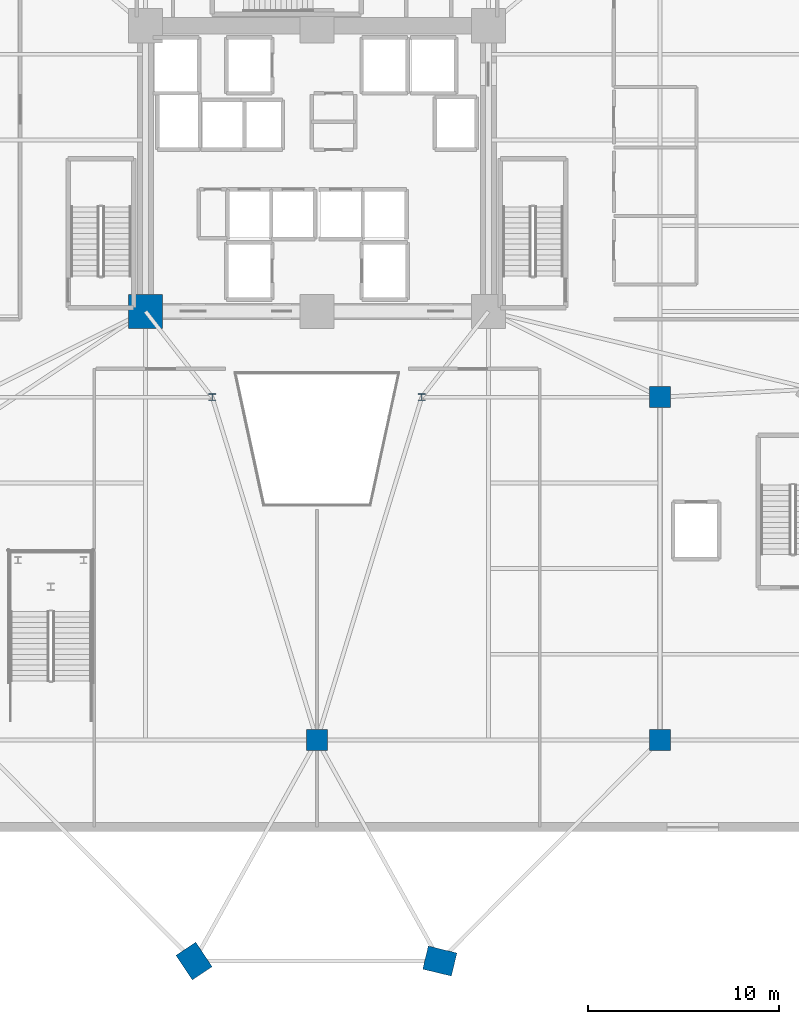
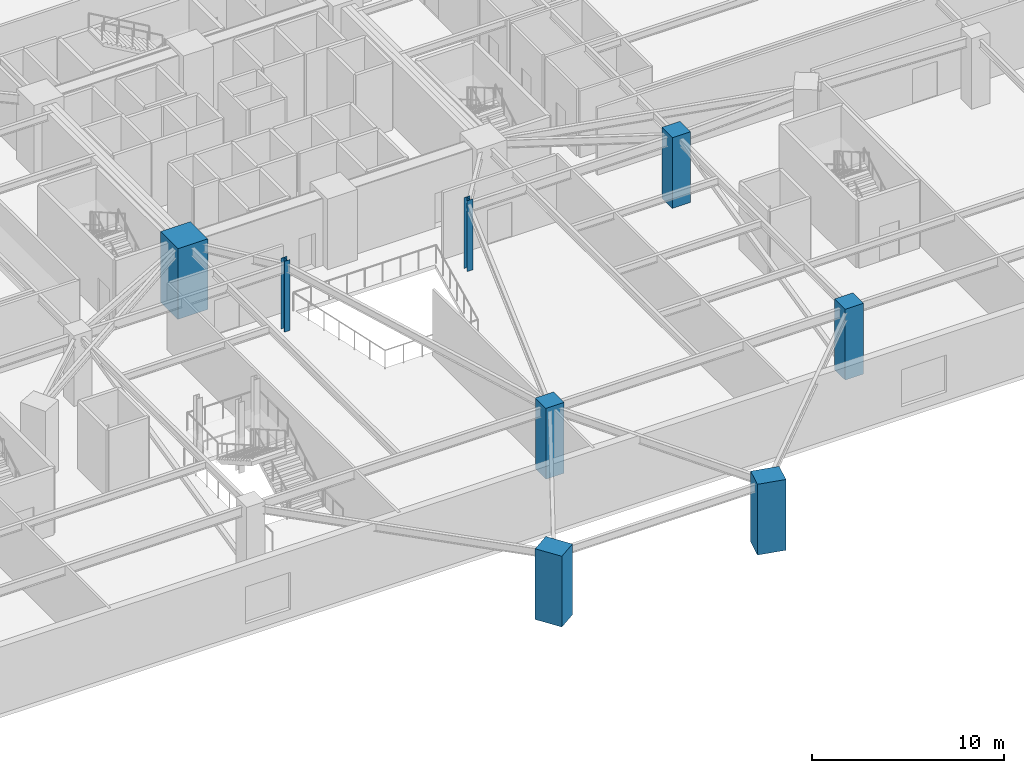
# One storey, part 2 of 16: 8 columns.
"""IFC4 building model written with IfcOpenShell, lengths in metres."""

import ifcopenshell
import ifcopenshell.guid

model = None  # the IFC model being written
_history = None  # IfcOwnerHistory: only IFC2X3 demands one
_inside = {}  # id of a spatial element -> (the spatial element, [elements in it])
_under = {}  # id of a project, library or spatial element -> (it, [spatial elements below it])
_declared = {}  # id of a project -> (the project, [libraries it declares])
_typed = {}  # id of a type object -> (the type object, [elements of that type])
_made_of = {}  # id of a material, layer set ... -> (it, [elements and type objects made of it])


def new_model(schema):
    """Start an empty IFC model of exactly this schema.

    Asked for "IFC4X3", IfcOpenShell would pick the latest addendum, in which some entities
    have other attributes; the version numbers below select the first issue.
    IFC2X3 requires an IfcOwnerHistory on every rooted entity: one is made here for all.
    """
    global model, _history
    if schema == "IFC4X3":
        model = ifcopenshell.file(schema_version=(4, 3, 0, 0))
    else:
        model = ifcopenshell.file(schema=schema)
    _inside.clear()
    _under.clear()
    _declared.clear()
    _typed.clear()
    _made_of.clear()
    _history = None
    if model.schema == "IFC2X3":
        org = make("IfcOrganization", Name="unknown")
        user = make(
            "IfcPersonAndOrganization",
            ThePerson=make("IfcPerson", FamilyName="unknown"),
            TheOrganization=org,
        )
        app = make(
            "IfcApplication",
            ApplicationDeveloper=org,
            Version="unknown",
            ApplicationFullName="unknown",
            ApplicationIdentifier="unknown",
        )
        _history = make(
            "IfcOwnerHistory",
            OwningUser=user,
            OwningApplication=app,
            ChangeAction="ADDED",
            CreationDate=0,
        )
    return model


def make(cls, **values):
    """One entity of the class cls with the attributes given. An attribute that is None is left unset."""
    return model.create_entity(
        cls, **{name: value for name, value in values.items() if value is not None}
    )


def rooted(cls, **values):
    """An entity with a GlobalId (a new one), such as an element, a storey or a relation."""
    return make(cls, GlobalId=ifcopenshell.guid.new(), OwnerHistory=_history, **values)


def si_unit(unit_type, name, prefix=None):
    """IfcSIUnit, for example si_unit("LENGTHUNIT", "METRE", prefix="MILLI")."""
    return make("IfcSIUnit", UnitType=unit_type, Prefix=prefix, Name=name)


def assignment(units):
    """IfcUnitAssignment: the units of a project."""
    return None if units is None else make("IfcUnitAssignment", Units=units)


def point(xyz):
    """IfcCartesianPoint."""
    return None if xyz is None else make("IfcCartesianPoint", Coordinates=xyz)


def direction(xyz):
    """IfcDirection."""
    return None if xyz is None else make("IfcDirection", DirectionRatios=xyz)


def frame(location, z_axis=None, x_axis=None):
    """IfcAxis2Placement3D, a coordinate frame: its origin and axes. An axis left out is left unset."""
    return make(
        "IfcAxis2Placement3D",
        Location=point(location),
        Axis=direction(z_axis),
        RefDirection=direction(x_axis),
    )


def frame_2d(location, x_axis=None):
    """IfcAxis2Placement2D, a coordinate frame in the plane: its origin and x axis."""
    return make(
        "IfcAxis2Placement2D", Location=point(location), RefDirection=direction(x_axis)
    )


def origin():
    """The frame at (0, 0, 0) with its axes left unset."""
    return frame((0.0, 0.0, 0.0))


def origin_2d():
    """The frame at (0, 0) in the plane with its x axis left unset."""
    return frame_2d((0.0, 0.0))


def place(relative_to, where):
    """IfcLocalPlacement: puts the frame where relative to a parent placement (None: the world)."""
    return make(
        "IfcLocalPlacement", PlacementRelTo=relative_to, RelativePlacement=where
    )


def context(
    kind, dimensions, precision=None, world=None, true_north=None, identifier=None
):
    """IfcGeometricRepresentationContext, for example the 3D "Model" context."""
    return make(
        "IfcGeometricRepresentationContext",
        ContextIdentifier=identifier,
        ContextType=kind,
        CoordinateSpaceDimension=dimensions,
        Precision=precision,
        WorldCoordinateSystem=world,
        TrueNorth=true_north,
    )


def subcontext(parent, identifier, kind, view, scale=None):
    """IfcGeometricRepresentationSubContext, for example "Body" below "Model"."""
    return make(
        "IfcGeometricRepresentationSubContext",
        ContextIdentifier=identifier,
        ContextType=kind,
        ParentContext=parent,
        TargetScale=scale,
        TargetView=view,
    )


def project(units=None, contexts=None):
    """IfcProject with its units and contexts."""
    return rooted(
        "IfcProject",
        Name="project",
        RepresentationContexts=contexts,
        UnitsInContext=assignment(units),
    )


def spatial(cls, under=None, at=None, **own):
    """A site, building, storey or space (cls), placed at a placement, below another one or the project."""
    s = rooted(cls, ObjectPlacement=at, **own)
    if under is not None:
        _under.setdefault(under.id(), (under, []))[1].append(s)
    return s


def profile(cls, at=None, kind="AREA", **sizes):
    """A parametric profile (cls). Its sizes go by their IFC names, for example OverallWidth=200.0."""
    return make(cls, ProfileType=kind, Position=at, **sizes)


def rectangle(**sizes):
    """IfcRectangleProfileDef."""
    return profile("IfcRectangleProfileDef", **sizes)


def i_section(**sizes):
    """IfcIShapeProfileDef."""
    return profile("IfcIShapeProfileDef", **sizes)


def extrude(swept, where, along, depth):
    """IfcExtrudedAreaSolid: the profile swept, set in the frame where, extruded along a direction by depth."""
    return make(
        "IfcExtrudedAreaSolid",
        SweptArea=swept,
        Position=where,
        ExtrudedDirection=direction(along),
        Depth=depth,
    )


def shape(context_of_items, identifier, shape_type, items):
    """IfcShapeRepresentation: the items that make up one representation, for example the "Body"."""
    return make(
        "IfcShapeRepresentation",
        ContextOfItems=context_of_items,
        RepresentationIdentifier=identifier,
        RepresentationType=shape_type,
        Items=items,
    )


def source(mapping_origin, context_of_items, identifier, shape_type, items):
    """IfcRepresentationMap: a shape defined once, which mapped items show again and again."""
    return make(
        "IfcRepresentationMap",
        MappingOrigin=mapping_origin,
        MappedRepresentation=shape(context_of_items, identifier, shape_type, items),
    )


def transform(
    local_origin,
    x_axis=None,
    y_axis=None,
    z_axis=None,
    scale=None,
    scale2=None,
    scale3=None,
    uniform=True,
):
    """IfcCartesianTransformationOperator3D, or its non-uniform kind. x_axis, y_axis, z_axis: its Axis1, 2, 3."""
    if uniform:
        return make(
            "IfcCartesianTransformationOperator3D",
            Axis1=direction(x_axis),
            Axis2=direction(y_axis),
            LocalOrigin=point(local_origin),
            Scale=scale,
            Axis3=direction(z_axis),
        )
    return make(
        "IfcCartesianTransformationOperator3DnonUniform",
        Axis1=direction(x_axis),
        Axis2=direction(y_axis),
        LocalOrigin=point(local_origin),
        Scale=scale,
        Axis3=direction(z_axis),
        Scale2=scale2,
        Scale3=scale3,
    )


def mapped(mapping_source, mapping_target):
    """IfcMappedItem: shows the shape of a source again, moved by a transform."""
    return make(
        "IfcMappedItem", MappingSource=mapping_source, MappingTarget=mapping_target
    )


def material(Name=None, Category=None):
    """IfcMaterial."""
    return make("IfcMaterial", Name=Name, Category=Category)


def material_profile(
    of_material, cross_section, Name=None, Category=None, Priority=None
):
    """IfcMaterialProfile: a cross section and its material."""
    return make(
        "IfcMaterialProfile",
        Name=Name,
        Material=of_material,
        Profile=cross_section,
        Priority=Priority,
        Category=Category,
    )


def profile_set(profiles, Name=None, composite=None):
    """IfcMaterialProfileSet."""
    return make(
        "IfcMaterialProfileSet",
        Name=Name,
        MaterialProfiles=profiles,
        CompositeProfile=composite,
    )


def made_of(thing, what):
    """Note that an element or type object is made of a material, layer set ...; save() writes the relation."""
    if what is not None:
        _made_of.setdefault(what.id(), (what, []))[1].append(thing)
    return thing


def type_object(cls, material=None, **own):
    """A type object (cls), such as IfcWallType, which elements share."""
    return made_of(rooted(cls, **own), material)


def element(
    cls,
    number,
    at=None,
    inside=None,
    cuts=None,
    type_object=None,
    material=None,
    context=None,
    identifier="Body",
    shape_type=None,
    held_by="IfcProductDefinitionShape",
    body=None,
    shapes=None,
    **own,
):
    """One element of the class cls, such as IfcWall. Its Tag is "e" and its number.

    at: its placement. inside: the storey or other place that contains it. cuts: it is an
    opening in that element (IfcRelVoidsElement). A single representation is given by context,
    identifier, shape_type and body (its items); several are given by shapes. held_by: the class
    of the entity that holds the representations. save() writes the other relations.
    """
    e = rooted(cls, Tag="e%d" % number, ObjectPlacement=at, **own)
    if body is not None:
        shapes = [shape(context, identifier, shape_type, body)]
    if shapes is not None:
        e.Representation = make(held_by, Representations=shapes)
    if inside is not None:
        _inside.setdefault(inside.id(), (inside, []))[1].append(e)
    if cuts is not None:
        rooted(
            "IfcRelVoidsElement", RelatingBuildingElement=cuts, RelatedOpeningElement=e
        )
    if type_object is not None:
        _typed.setdefault(type_object.id(), (type_object, []))[1].append(e)
    return made_of(e, material)


def aggregate(whole, parts):
    """IfcRelAggregates: a whole, such as a stair, and the parts it consists of."""
    return rooted("IfcRelAggregates", RelatingObject=whole, RelatedObjects=parts)


def save(model, path):
    """Write the relations noted so far, then the file.

    IfcRelAggregates (storeys below a building ...), IfcRelContainedInSpatialStructure (elements
    in a storey), IfcRelDefinesByType, IfcRelAssociatesMaterial and IfcRelDeclares: one each for
    every whole, place, type object, material and project.
    """
    for whole, parts in _under.values():
        aggregate(whole, parts)
    for where, things in _inside.values():
        rooted(
            "IfcRelContainedInSpatialStructure",
            RelatedElements=things,
            RelatingStructure=where,
        )
    for kind, things in _typed.values():
        rooted("IfcRelDefinesByType", RelatedObjects=things, RelatingType=kind)
    for what, things in _made_of.values():
        rooted("IfcRelAssociatesMaterial", RelatedObjects=things, RelatingMaterial=what)
    for by, libraries in _declared.values():
        rooted("IfcRelDeclares", RelatingContext=by, RelatedDefinitions=libraries)
    model.write(path)


model = new_model("IFC4")

# Units and contexts
model_context = context("Model", 3, precision=1e-05, world=origin(), true_north=direction((0.0, 1.0)))
body_context = subcontext(model_context, "Body", "Model", "MODEL_VIEW")
ifc_project = project(units=[si_unit("LENGTHUNIT", "METRE"), si_unit("AREAUNIT", "SQUARE_METRE"), si_unit("VOLUMEUNIT", "CUBIC_METRE"), si_unit("PLANEANGLEUNIT", "RADIAN"), si_unit("MASSUNIT", "GRAM", prefix="KILO")], contexts=[model_context])

# Site, building, storey
site_placement = place(None, origin())
site = spatial("IfcSite", under=ifc_project, at=site_placement, CompositionType="ELEMENT")
building_placement = place(site_placement, origin())
building = spatial("IfcBuilding", under=site, at=building_placement, Name="Liaohun Quay Tower", CompositionType="ELEMENT")
storey_placement = place(building_placement, frame((0.0, 0.0, 14.39990234375)))
storey = spatial("IfcBuildingStorey", under=building, at=storey_placement, Name="L04", CompositionType="ELEMENT", Elevation=14.39990234375)

# Columns
ifc_material_1 = material(Name="Concrete C60", Category="concrete")
ifc_material_profile_1 = material_profile(ifc_material_1, rectangle(XDim=1.800048828125, YDim=1.800048828125, at=origin_2d()), Name="RC1800x1800")
ifc_profile_set_1 = profile_set([ifc_material_profile_1], Name="Concrete C60")
column_type_1 = type_object("IfcColumnType", Name="COL-CC-B", PredefinedType="COLUMN", material=ifc_profile_set_1)
shared_shape_1 = source(origin(), body_context, "Body", "SweptSolid", [
    extrude(rectangle(XDim=1.800048828125, YDim=1.800048828125, at=origin_2d()), origin(), (0.0, 0.0, 1.0), 4.5),
])
column_placement = place(storey_placement, frame((51.0, 46.5, 0.0), z_axis=(0.0, 0.0, 1.0), x_axis=(1.0, 0.0, 0.0)))
element("IfcColumn", 1, at=column_placement, inside=storey, type_object=column_type_1, Name="L04 Core Column CC1", PredefinedType="COLUMN", context=body_context, shape_type="MappedRepresentation", body=[
    mapped(shared_shape_1, transform((0.0, 0.0, 0.0), x_axis=(1.0, 0.0, 0.0), y_axis=(0.0, 1.0, 0.0), z_axis=(0.0, 0.0, 1.0), scale=1.0)),
])
ifc_material_profile_2 = material_profile(ifc_material_1, rectangle(XDim=1.550048828125, YDim=1.25, at=origin_2d()), Name="RC1550x1250")
ifc_profile_set_2 = profile_set([ifc_material_profile_2], Name="Concrete C60")
column_type_2 = type_object("IfcColumnType", Name="COL-PIER-Z1", PredefinedType="COLUMN", material=ifc_profile_set_2)
shared_shape_2 = source(origin(), body_context, "Body", "SweptSolid", [
    extrude(rectangle(XDim=1.550048828125, YDim=1.25, at=origin_2d()), origin(), (0.0, 0.0, 1.0), 4.5),
])
for number, where, z_axis, x_axis, name in (
    (2, (53.5458984375, 12.39697265625, 0.0), (0.0, 0.0, 1.0), (-0.556005513314, 0.831178602446, 0.0), "L04 Tower Mega-Pier PC01"),
    (3, (66.447998046875, 12.39892578125, 0.0), (0.0, 0.0, 1.0), (-0.972043021443, 0.234802820391, 0.0), "L04 Tower Mega-Pier PC11"),
):
    element("IfcColumn", number, at=place(storey_placement, frame(where, z_axis=z_axis, x_axis=x_axis)), inside=storey, type_object=column_type_2, Name=name, PredefinedType="COLUMN", context=body_context, shape_type="MappedRepresentation", body=[
        mapped(shared_shape_2, transform((0.0, 0.0, 0.0), x_axis=(1.0, 0.0, 0.0), y_axis=(0.0, 1.0, 0.0), z_axis=(0.0, 0.0, 1.0), scale=1.0)),
    ])
ifc_material_2 = material(Name="Concrete C55", Category="concrete")
ifc_material_profile_3 = material_profile(ifc_material_2, rectangle(XDim=1.10009765625, YDim=1.10009765625, at=origin_2d()), Name="RC1100x1100")
ifc_profile_set_3 = profile_set([ifc_material_profile_3], Name="Concrete C55")
column_type_3 = type_object("IfcColumnType", Name="COL-POD-P", PredefinedType="COLUMN", material=ifc_profile_set_3)
shared_shape_3 = source(origin(), body_context, "Body", "SweptSolid", [
    extrude(rectangle(XDim=1.10009765625, YDim=1.10009765625, at=origin_2d()), origin(), (0.0, 0.0, 1.0), 4.5),
])
for number, where, z_axis, x_axis, name in (
    (4, (60.0, 24.0, 0.0), (0.0, 0.0, 1.0), (1.0, 0.0, 0.0), "L04 Podium Column PG03"),
    (5, (78.0, 24.0, 0.0), (0.0, 0.0, 1.0), (1.0, 0.0, 0.0), "L04 Podium Column PG04"),
    (6, (78.0, 42.0, 0.0), (0.0, 0.0, 1.0), (1.0, 0.0, 0.0), "L04 Podium Column PG08"),
):
    element("IfcColumn", number, at=place(storey_placement, frame(where, z_axis=z_axis, x_axis=x_axis)), inside=storey, type_object=column_type_3, Name=name, PredefinedType="COLUMN", context=body_context, shape_type="MappedRepresentation", body=[
        mapped(shared_shape_3, transform((0.0, 0.0, 0.0), x_axis=(1.0, 0.0, 0.0), y_axis=(0.0, 1.0, 0.0), z_axis=(0.0, 0.0, 1.0), scale=1.0)),
    ])
ifc_material_3 = material(Name="Steel Q355D", Category="steel")
ifc_material_profile_4 = material_profile(ifc_material_3, i_section(OverallWidth=0.35009765625, OverallDepth=0.35009765625, WebThickness=0.011962890625, FlangeThickness=0.01904296875, at=origin_2d()), Name="HW350x350x12x19")
ifc_profile_set_4 = profile_set([ifc_material_profile_4], Name="Steel Q355D")
column_type_4 = type_object("IfcColumnType", Name="COL-STL-ATR", PredefinedType="COLUMN", material=ifc_profile_set_4)
shared_shape_4 = source(origin(), body_context, "Body", "SweptSolid", [
    extrude(i_section(OverallWidth=0.35009765625, OverallDepth=0.35009765625, WebThickness=0.011962890625, FlangeThickness=0.01904296875, at=origin_2d()), origin(), (0.0, 0.0, 1.0), 4.5),
])
for number, where, z_axis, x_axis, name in (
    (7, (54.5, 42.0, 0.0), (0.0, 0.0, 1.0), (1.0, 0.0, 0.0), "L04 Atrium Feature Column AT1"),
    (8, (65.5, 42.0, 0.0), (0.0, 0.0, 1.0), (1.0, 0.0, 0.0), "L04 Atrium Feature Column AT2"),
):
    element("IfcColumn", number, at=place(storey_placement, frame(where, z_axis=z_axis, x_axis=x_axis)), inside=storey, type_object=column_type_4, Name=name, PredefinedType="COLUMN", context=body_context, shape_type="MappedRepresentation", body=[
        mapped(shared_shape_4, transform((0.0, 0.0, 0.0), x_axis=(1.0, 0.0, 0.0), y_axis=(0.0, 1.0, 0.0), z_axis=(0.0, 0.0, 1.0), scale=1.0)),
    ])

save(model, "model.ifc")
